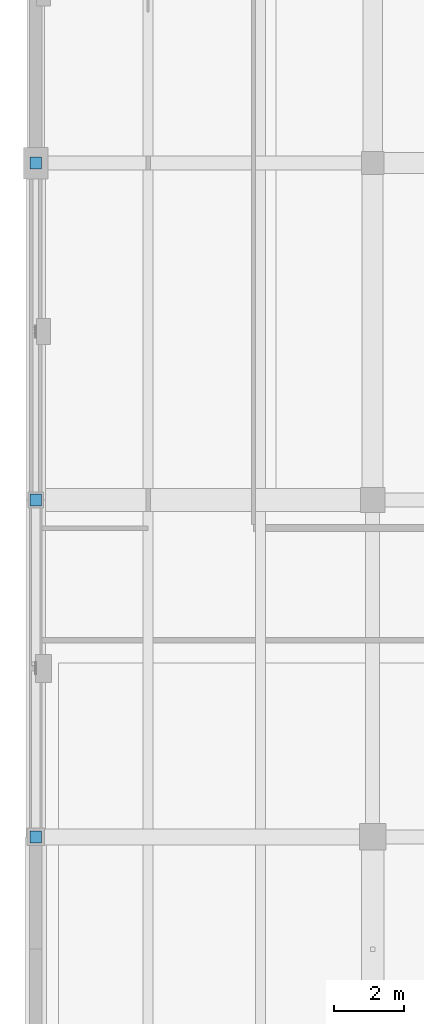
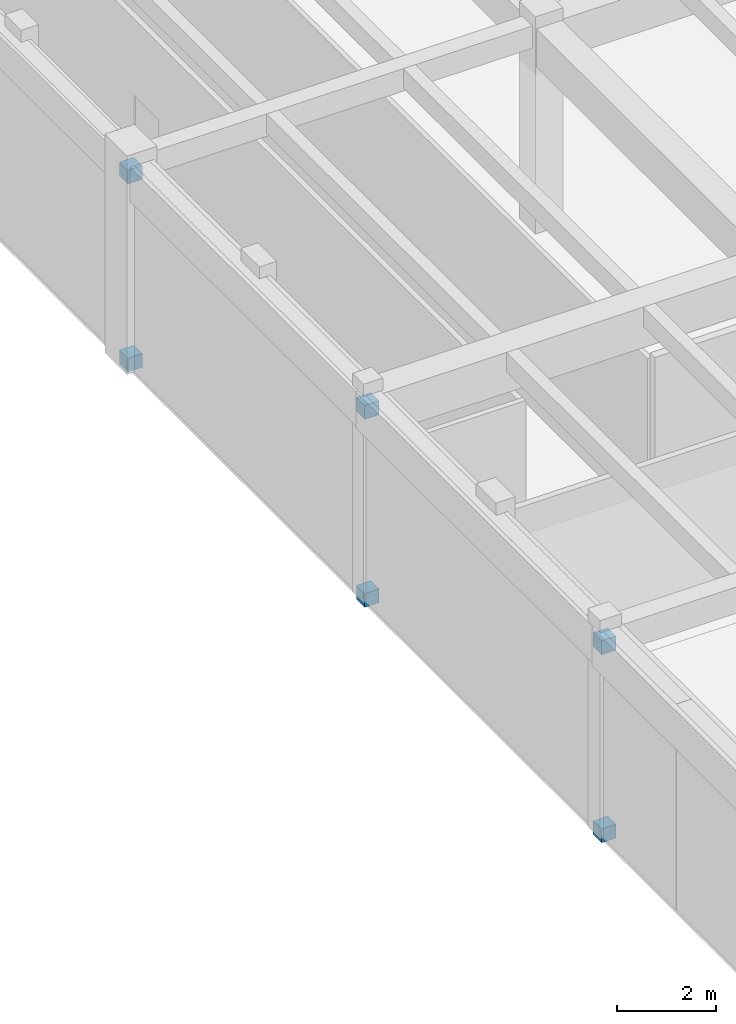
# One storey, part 123 of 138: 6 discrete accessories.
"""IFC4 building model written with IfcOpenShell, lengths in metres."""

from ifc_helpers import new_model, si_unit, direction, frame, origin, origin_2d, place, context, subcontext, project, spatial, rectangle, extrude, material, type_object, element, save


model = new_model("IFC4")

# Units and contexts
model_context = context("Model", 3, precision=1e-05, world=origin(), true_north=direction((0.0, 1.0)))
body_context = subcontext(model_context, "Body", "Model", "MODEL_VIEW")
ifc_project = project(units=[si_unit("LENGTHUNIT", "METRE"), si_unit("AREAUNIT", "SQUARE_METRE"), si_unit("VOLUMEUNIT", "CUBIC_METRE"), si_unit("PLANEANGLEUNIT", "RADIAN"), si_unit("MASSUNIT", "GRAM", prefix="KILO")], contexts=[model_context])

# Site, building, storey
site_placement = place(None, origin())
site = spatial("IfcSite", under=ifc_project, at=site_placement, CompositionType="ELEMENT")
building_placement = place(site_placement, origin())
building = spatial("IfcBuilding", under=site, at=building_placement, Name="Fikremerkos Civic Library", CompositionType="ELEMENT")
storey_placement = place(building_placement, origin())
storey = spatial("IfcBuildingStorey", under=building, at=storey_placement, Name="L00", CompositionType="ELEMENT", Elevation=0.0)

# Discrete accessories
ifc_material = material(Name="Steel S355", Category="steel")
discrete_accessory_type = type_object("IfcDiscreteAccessoryType", Name="Steel brace end connection bracket BRK-S1", PredefinedType="BRACKET", material=ifc_material)
for number, where, z_axis, x_axis, name in (
    (1, (0.0, 12.0, -0.169921875), (0.0, 0.0, 1.0), (1.0, 0.0, 0.0), "Steel S355 brace end connection bracket #29"),
    (2, (0.0, 21.60009765625, 4.47998046875), (0.0, 0.0, 1.0), (1.0, 0.0, 0.0), "Steel S355 brace end connection bracket #30"),
    (3, (0.0, 21.60009765625, -0.169921875), (0.0, 0.0, 1.0), (1.0, 0.0, 0.0), "Steel S355 brace end connection bracket #31"),
    (4, (0.0, 12.0, 4.47998046875), (0.0, 0.0, 1.0), (1.0, 0.0, 0.0), "Steel S355 brace end connection bracket #32"),
    (5, (0.0, 31.199951171875, 4.47998046875), (0.0, 0.0, 1.0), (1.0, 0.0, 0.0), "Steel S355 brace end connection bracket #33"),
    (6, (0.0, 31.199951171875, -0.169921875), (0.0, 0.0, 1.0), (1.0, 0.0, 0.0), "Steel S355 brace end connection bracket #34"),
):
    element("IfcDiscreteAccessory", number, at=place(storey_placement, frame(where, z_axis=z_axis, x_axis=x_axis)), inside=storey, type_object=discrete_accessory_type, Name=name, PredefinedType="BRACKET", context=body_context, shape_type="SweptSolid", body=[
        extrude(rectangle(XDim=0.340087890625, YDim=0.340087890625, at=origin_2d()), origin(), (0.0, 0.0, 1.0), 0.340087890625),
    ])

save(model, "model.ifc")
